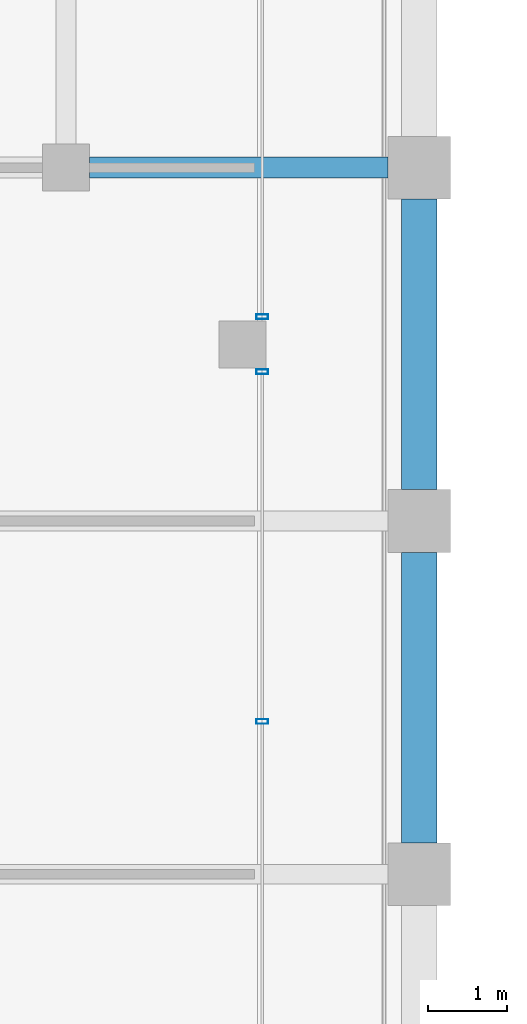
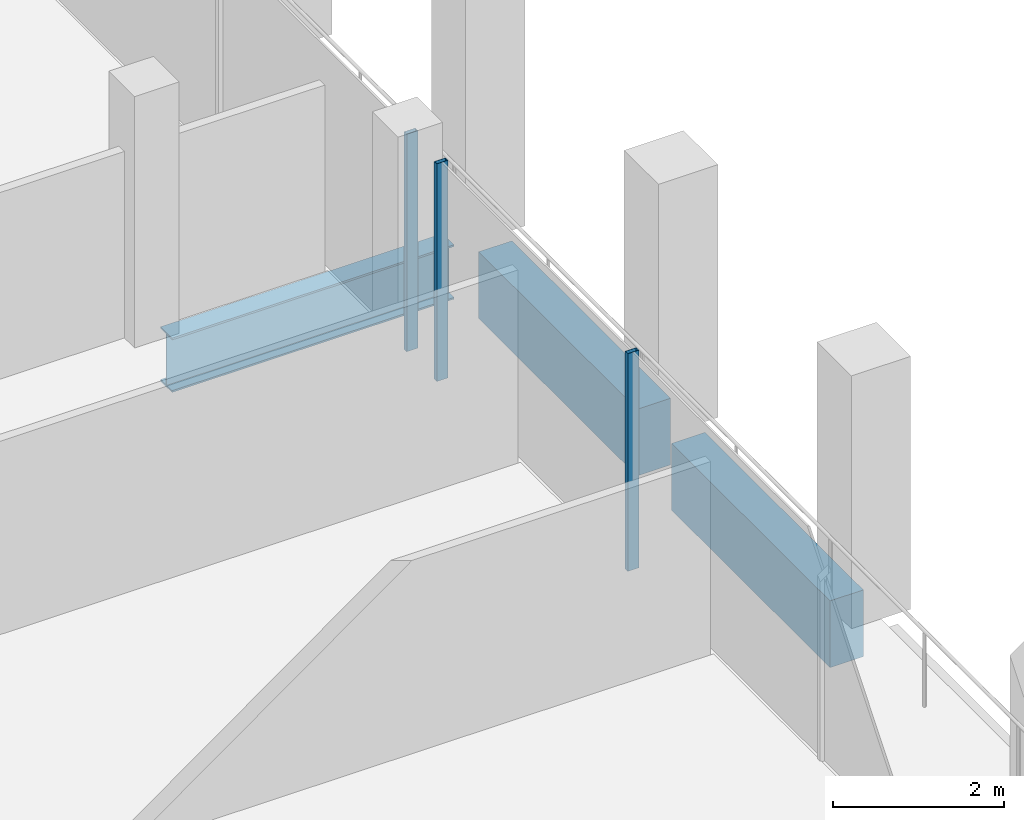
# One storey, part 21 of 62: 3 beams, 3 members, 2 elements without a shape of their own.
"""IFC4 building model written with IfcOpenShell, lengths in metres."""

from ifc_helpers import new_model, si_unit, direction, frame, origin, origin_2d, place, context, subcontext, project, spatial, rectangle, hollow_rectangle, i_section, extrude, material, material_profile, profile_set, type_object, element, aggregate, save


model = new_model("IFC4")

# Units and contexts
model_context = context("Model", 3, precision=1e-05, world=origin(), true_north=direction((0.0, 1.0)))
body_context = subcontext(model_context, "Body", "Model", "MODEL_VIEW")
ifc_project = project(units=[si_unit("LENGTHUNIT", "METRE"), si_unit("AREAUNIT", "SQUARE_METRE"), si_unit("VOLUMEUNIT", "CUBIC_METRE"), si_unit("PLANEANGLEUNIT", "RADIAN"), si_unit("MASSUNIT", "GRAM", prefix="KILO")], contexts=[model_context])

# Site, building, storey
site_placement = place(None, origin())
site = spatial("IfcSite", under=ifc_project, at=site_placement, CompositionType="ELEMENT")
building_placement = place(site_placement, origin())
building = spatial("IfcBuilding", under=site, at=building_placement, Name="Altepetl Exchange Towers", CompositionType="ELEMENT")
storey_placement = place(building_placement, frame((0.0, 0.0, 210.0)))
storey = spatial("IfcBuildingStorey", under=building, at=storey_placement, Name="L53", CompositionType="ELEMENT", Elevation=210.0)

# Beam
ifc_material_1 = material(Name="Steel S355", Category="steel")
ifc_material_profile_1 = material_profile(ifc_material_1, i_section(OverallWidth=0.26806640625, OverallDepth=0.77392578125, WebThickness=0.015380859375, FlangeThickness=0.025390625, at=origin_2d()), Name="W30X132")
ifc_profile_set_1 = profile_set([ifc_material_profile_1], Name="Steel S355")
beam_type_1 = type_object("IfcBeamType", Name="Girder W30X132", PredefinedType="BEAM", material=ifc_profile_set_1)
beam_placement = place(storey_placement, frame((67.800048828125, 58.5, -0.537109375), z_axis=(1.0, 0.0, 0.0), x_axis=(0.0, 1.0, 0.0)))
element("IfcBeam", 1, at=beam_placement, inside=storey, type_object=beam_type_1, Name="gd:A:L53:002", PredefinedType="BEAM", context=body_context, shape_type="SweptSolid", body=[
    extrude(i_section(OverallWidth=0.26806640625, OverallDepth=0.77392578125, WebThickness=0.015380859375, FlangeThickness=0.025390625, at=origin_2d()), origin(), (0.0, 0.0, 1.0), 3.800048828125),
])

# Curtain wall, members
ifc_material_2 = material(Name="Aluminium 6063-T6 glazing", Category="aluminium")
curtain_wall_type = type_object("IfcCurtainWallType", Name="Loggia glazing system", PredefinedType="NOTDEFINED", material=ifc_material_2)
curtain_wall_1_placement = place(storey_placement, origin())
curtain_wall_1 = element("IfcCurtainWall", 2, at=curtain_wall_1_placement, inside=storey, type_object=curtain_wall_type, Name="CW1 run", PredefinedType="NOTDEFINED")
ifc_material_3 = material(Name="Aluminium 6063-T6", Category="aluminium")
ifc_material_profile_2 = material_profile(ifc_material_3, hollow_rectangle(XDim=0.06005859375, YDim=0.14990234375, WallThickness=0.0029296875, at=origin_2d()), Name="Mullion 60x150 aluminium")
ifc_profile_set_2 = profile_set([ifc_material_profile_2], Name="Aluminium 6063-T6")
member_type = type_object("IfcMemberType", Name="Mullion 60x150 aluminium", PredefinedType="MULLION", material=ifc_profile_set_2)
member_1_placement = place(storey_placement, frame((70.0, 51.444091796875, 0.0), z_axis=(0.0, 0.0, 1.0), x_axis=(0.0, 1.0, 0.0)))
member_1 = element("IfcMember", 3, at=member_1_placement, type_object=member_type, Name="MU1 mullion", PredefinedType="MULLION", context=body_context, shape_type="SweptSolid", body=[
    extrude(hollow_rectangle(XDim=0.06005859375, YDim=0.14990234375, WallThickness=0.0029296875, at=origin_2d()), origin(), (0.0, 0.0, 1.0), 3.10009765625),
])
member_2_placement = place(storey_placement, frame((70.0, 55.89990234375, 0.0), z_axis=(0.0, 0.0, 1.0), x_axis=(0.0, 1.0, 0.0)))
member_2 = element("IfcMember", 4, at=member_2_placement, type_object=member_type, Name="MU1 mullion", PredefinedType="MULLION", context=body_context, shape_type="SweptSolid", body=[
    extrude(hollow_rectangle(XDim=0.06005859375, YDim=0.14990234375, WallThickness=0.0029296875, at=origin_2d()), origin(), (0.0, 0.0, 1.0), 3.10009765625),
])
aggregate(curtain_wall_1, [member_1, member_2])

# Curtain wall, member
curtain_wall_2_placement = place(storey_placement, origin())
curtain_wall_2 = element("IfcCurtainWall", 5, at=curtain_wall_2_placement, inside=storey, type_object=curtain_wall_type, Name="CW1 run", PredefinedType="NOTDEFINED")
member_3_placement = place(storey_placement, frame((70.0, 56.60009765625, 0.0), z_axis=(0.0, 0.0, 1.0), x_axis=(0.0, 1.0, 0.0)))
member_3 = element("IfcMember", 6, at=member_3_placement, type_object=member_type, Name="MU1 mullion", PredefinedType="MULLION", context=body_context, shape_type="SweptSolid", body=[
    extrude(hollow_rectangle(XDim=0.06005859375, YDim=0.14990234375, WallThickness=0.0029296875, at=origin_2d()), origin(), (0.0, 0.0, 1.0), 3.10009765625),
])
aggregate(curtain_wall_2, [member_3])

# Beams
ifc_material_4 = material(Name="Concrete C50/60 precast with cantera amarilla facing", Category="concrete")
ifc_material_profile_3 = material_profile(ifc_material_4, rectangle(XDim=0.449951171875, YDim=0.949951171875, at=origin_2d()), Name="450 x 950")
ifc_profile_set_3 = profile_set([ifc_material_profile_3], Name="Concrete C50/60 precast with cantera amarilla facing")
beam_type_2 = type_object("IfcBeamType", Name="Spandrel beam 450x950 cantera amarilla", PredefinedType="SPANDREL", material=ifc_profile_set_3)
for number, where, z_axis, x_axis, name in (
    (7, (72.0, 49.89990234375, -0.625), (0.0, 1.0, 0.0), (-1.0, 0.0, 0.0), "sp:A:L53:016"),
    (8, (72.0, 54.39990234375, -0.625), (0.0, 1.0, 0.0), (-1.0, 0.0, 0.0), "sp:A:L53:017"),
):
    element("IfcBeam", number, at=place(storey_placement, frame(where, z_axis=z_axis, x_axis=x_axis)), inside=storey, type_object=beam_type_2, Name=name, PredefinedType="SPANDREL", context=body_context, shape_type="SweptSolid", body=[
        extrude(rectangle(XDim=0.449951171875, YDim=0.949951171875, at=origin_2d()), origin(), (0.0, 0.0, 1.0), 3.7001953125),
    ])

save(model, "model.ifc")
